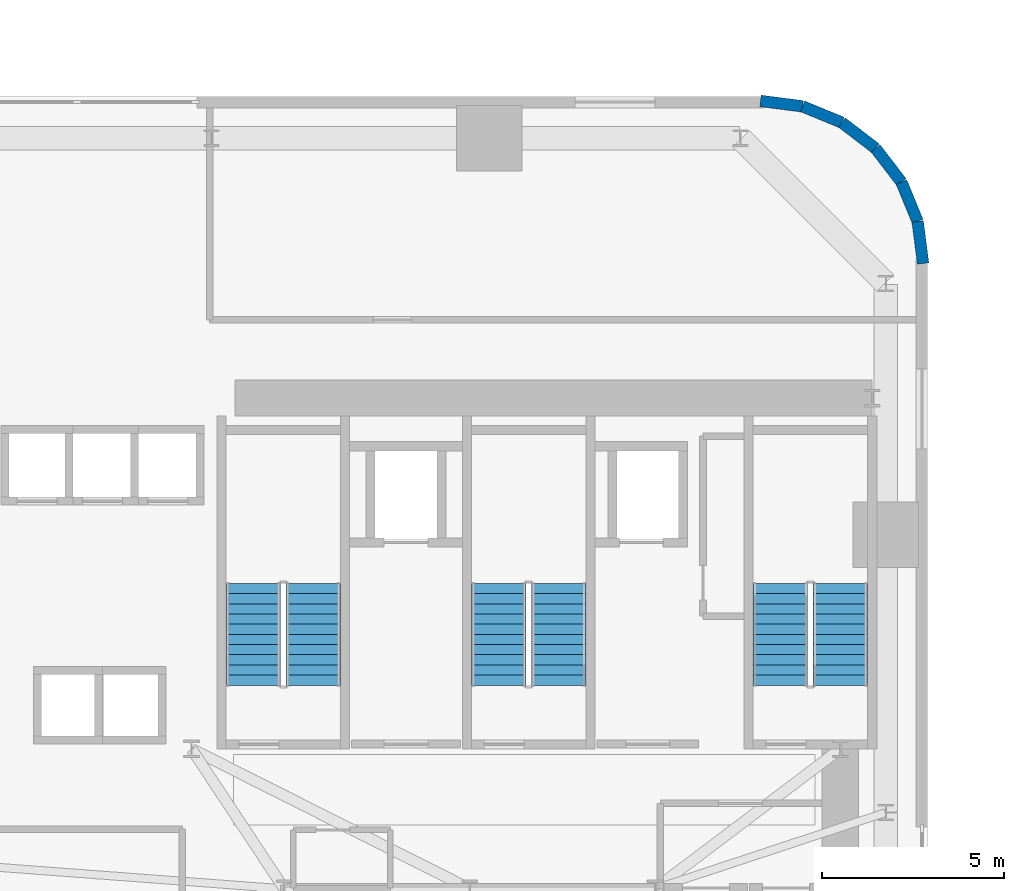
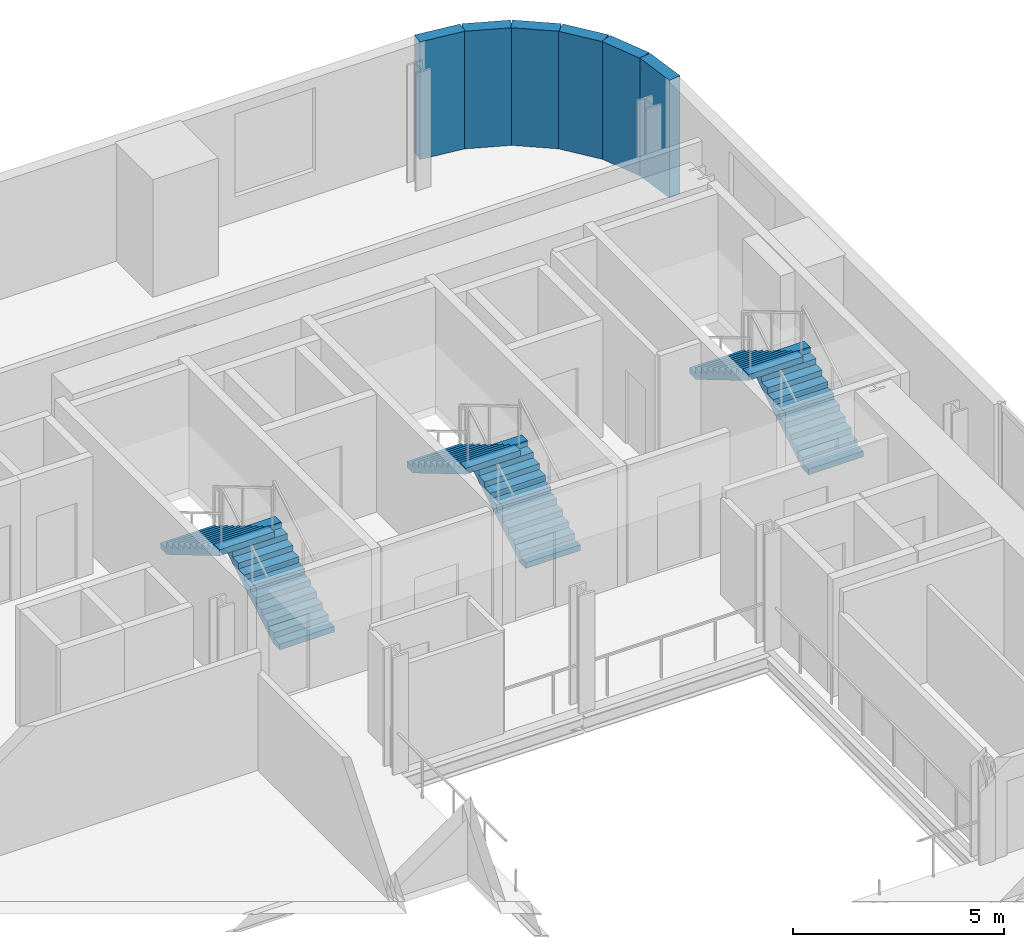
# One storey, part 9 of 13: 6 stair flights, 6 walls, 3 elements without a shape of their own.
"""IFC4 building model written with IfcOpenShell, lengths in metres."""

import ifcopenshell
import ifcopenshell.guid

model = None  # the IFC model being written
_history = None  # IfcOwnerHistory: only IFC2X3 demands one
_inside = {}  # id of a spatial element -> (the spatial element, [elements in it])
_under = {}  # id of a project, library or spatial element -> (it, [spatial elements below it])
_declared = {}  # id of a project -> (the project, [libraries it declares])
_typed = {}  # id of a type object -> (the type object, [elements of that type])
_made_of = {}  # id of a material, layer set ... -> (it, [elements and type objects made of it])


def new_model(schema):
    """Start an empty IFC model of exactly this schema.

    Asked for "IFC4X3", IfcOpenShell would pick the latest addendum, in which some entities
    have other attributes; the version numbers below select the first issue.
    IFC2X3 requires an IfcOwnerHistory on every rooted entity: one is made here for all.
    """
    global model, _history
    if schema == "IFC4X3":
        model = ifcopenshell.file(schema_version=(4, 3, 0, 0))
    else:
        model = ifcopenshell.file(schema=schema)
    _inside.clear()
    _under.clear()
    _declared.clear()
    _typed.clear()
    _made_of.clear()
    _history = None
    if model.schema == "IFC2X3":
        org = make("IfcOrganization", Name="unknown")
        user = make(
            "IfcPersonAndOrganization",
            ThePerson=make("IfcPerson", FamilyName="unknown"),
            TheOrganization=org,
        )
        app = make(
            "IfcApplication",
            ApplicationDeveloper=org,
            Version="unknown",
            ApplicationFullName="unknown",
            ApplicationIdentifier="unknown",
        )
        _history = make(
            "IfcOwnerHistory",
            OwningUser=user,
            OwningApplication=app,
            ChangeAction="ADDED",
            CreationDate=0,
        )
    return model


def make(cls, **values):
    """One entity of the class cls with the attributes given. An attribute that is None is left unset."""
    return model.create_entity(
        cls, **{name: value for name, value in values.items() if value is not None}
    )


def rooted(cls, **values):
    """An entity with a GlobalId (a new one), such as an element, a storey or a relation."""
    return make(cls, GlobalId=ifcopenshell.guid.new(), OwnerHistory=_history, **values)


def si_unit(unit_type, name, prefix=None):
    """IfcSIUnit, for example si_unit("LENGTHUNIT", "METRE", prefix="MILLI")."""
    return make("IfcSIUnit", UnitType=unit_type, Prefix=prefix, Name=name)


def assignment(units):
    """IfcUnitAssignment: the units of a project."""
    return None if units is None else make("IfcUnitAssignment", Units=units)


def point(xyz):
    """IfcCartesianPoint."""
    return None if xyz is None else make("IfcCartesianPoint", Coordinates=xyz)


def direction(xyz):
    """IfcDirection."""
    return None if xyz is None else make("IfcDirection", DirectionRatios=xyz)


def frame(location, z_axis=None, x_axis=None):
    """IfcAxis2Placement3D, a coordinate frame: its origin and axes. An axis left out is left unset."""
    return make(
        "IfcAxis2Placement3D",
        Location=point(location),
        Axis=direction(z_axis),
        RefDirection=direction(x_axis),
    )


def frame_2d(location, x_axis=None):
    """IfcAxis2Placement2D, a coordinate frame in the plane: its origin and x axis."""
    return make(
        "IfcAxis2Placement2D", Location=point(location), RefDirection=direction(x_axis)
    )


def origin():
    """The frame at (0, 0, 0) with its axes left unset."""
    return frame((0.0, 0.0, 0.0))


def place(relative_to, where):
    """IfcLocalPlacement: puts the frame where relative to a parent placement (None: the world)."""
    return make(
        "IfcLocalPlacement", PlacementRelTo=relative_to, RelativePlacement=where
    )


def context(
    kind, dimensions, precision=None, world=None, true_north=None, identifier=None
):
    """IfcGeometricRepresentationContext, for example the 3D "Model" context."""
    return make(
        "IfcGeometricRepresentationContext",
        ContextIdentifier=identifier,
        ContextType=kind,
        CoordinateSpaceDimension=dimensions,
        Precision=precision,
        WorldCoordinateSystem=world,
        TrueNorth=true_north,
    )


def subcontext(parent, identifier, kind, view, scale=None):
    """IfcGeometricRepresentationSubContext, for example "Body" below "Model"."""
    return make(
        "IfcGeometricRepresentationSubContext",
        ContextIdentifier=identifier,
        ContextType=kind,
        ParentContext=parent,
        TargetScale=scale,
        TargetView=view,
    )


def project(units=None, contexts=None):
    """IfcProject with its units and contexts."""
    return rooted(
        "IfcProject",
        Name="project",
        RepresentationContexts=contexts,
        UnitsInContext=assignment(units),
    )


def spatial(cls, under=None, at=None, **own):
    """A site, building, storey or space (cls), placed at a placement, below another one or the project."""
    s = rooted(cls, ObjectPlacement=at, **own)
    if under is not None:
        _under.setdefault(under.id(), (under, []))[1].append(s)
    return s


def polyline(points):
    """IfcPolyline through the points."""
    return make("IfcPolyline", Points=[point(p) for p in points])


def profile(cls, at=None, kind="AREA", **sizes):
    """A parametric profile (cls). Its sizes go by their IFC names, for example OverallWidth=200.0."""
    return make(cls, ProfileType=kind, Position=at, **sizes)


def rectangle(**sizes):
    """IfcRectangleProfileDef."""
    return profile("IfcRectangleProfileDef", **sizes)


def outline(outer, holes=None, kind="AREA"):
    """IfcArbitraryClosedProfileDef: a profile drawn as a closed curve; with holes, ...WithVoids."""
    if holes is None:
        return make("IfcArbitraryClosedProfileDef", ProfileType=kind, OuterCurve=outer)
    return make(
        "IfcArbitraryProfileDefWithVoids",
        ProfileType=kind,
        OuterCurve=outer,
        InnerCurves=holes,
    )


def extrude(swept, where, along, depth):
    """IfcExtrudedAreaSolid: the profile swept, set in the frame where, extruded along a direction by depth."""
    return make(
        "IfcExtrudedAreaSolid",
        SweptArea=swept,
        Position=where,
        ExtrudedDirection=direction(along),
        Depth=depth,
    )


def shape(context_of_items, identifier, shape_type, items):
    """IfcShapeRepresentation: the items that make up one representation, for example the "Body"."""
    return make(
        "IfcShapeRepresentation",
        ContextOfItems=context_of_items,
        RepresentationIdentifier=identifier,
        RepresentationType=shape_type,
        Items=items,
    )


def source(mapping_origin, context_of_items, identifier, shape_type, items):
    """IfcRepresentationMap: a shape defined once, which mapped items show again and again."""
    return make(
        "IfcRepresentationMap",
        MappingOrigin=mapping_origin,
        MappedRepresentation=shape(context_of_items, identifier, shape_type, items),
    )


def transform(
    local_origin,
    x_axis=None,
    y_axis=None,
    z_axis=None,
    scale=None,
    scale2=None,
    scale3=None,
    uniform=True,
):
    """IfcCartesianTransformationOperator3D, or its non-uniform kind. x_axis, y_axis, z_axis: its Axis1, 2, 3."""
    if uniform:
        return make(
            "IfcCartesianTransformationOperator3D",
            Axis1=direction(x_axis),
            Axis2=direction(y_axis),
            LocalOrigin=point(local_origin),
            Scale=scale,
            Axis3=direction(z_axis),
        )
    return make(
        "IfcCartesianTransformationOperator3DnonUniform",
        Axis1=direction(x_axis),
        Axis2=direction(y_axis),
        LocalOrigin=point(local_origin),
        Scale=scale,
        Axis3=direction(z_axis),
        Scale2=scale2,
        Scale3=scale3,
    )


def mapped(mapping_source, mapping_target):
    """IfcMappedItem: shows the shape of a source again, moved by a transform."""
    return make(
        "IfcMappedItem", MappingSource=mapping_source, MappingTarget=mapping_target
    )


def material(Name=None, Category=None):
    """IfcMaterial."""
    return make("IfcMaterial", Name=Name, Category=Category)


def layer(
    of_material, thickness, ventilated=None, Name=None, Category=None, Priority=None
):
    """IfcMaterialLayer: one layer of a wall or slab, of a material (None: an air gap)."""
    return make(
        "IfcMaterialLayer",
        Material=of_material,
        LayerThickness=thickness,
        IsVentilated=ventilated,
        Name=Name,
        Category=Category,
        Priority=Priority,
    )


def layer_set(layers, Name=None):
    """IfcMaterialLayerSet."""
    return make("IfcMaterialLayerSet", MaterialLayers=layers, LayerSetName=Name)


def made_of(thing, what):
    """Note that an element or type object is made of a material, layer set ...; save() writes the relation."""
    if what is not None:
        _made_of.setdefault(what.id(), (what, []))[1].append(thing)
    return thing


def type_object(cls, material=None, **own):
    """A type object (cls), such as IfcWallType, which elements share."""
    return made_of(rooted(cls, **own), material)


def element(
    cls,
    number,
    at=None,
    inside=None,
    cuts=None,
    type_object=None,
    material=None,
    context=None,
    identifier="Body",
    shape_type=None,
    held_by="IfcProductDefinitionShape",
    body=None,
    shapes=None,
    **own,
):
    """One element of the class cls, such as IfcWall. Its Tag is "e" and its number.

    at: its placement. inside: the storey or other place that contains it. cuts: it is an
    opening in that element (IfcRelVoidsElement). A single representation is given by context,
    identifier, shape_type and body (its items); several are given by shapes. held_by: the class
    of the entity that holds the representations. save() writes the other relations.
    """
    e = rooted(cls, Tag="e%d" % number, ObjectPlacement=at, **own)
    if body is not None:
        shapes = [shape(context, identifier, shape_type, body)]
    if shapes is not None:
        e.Representation = make(held_by, Representations=shapes)
    if inside is not None:
        _inside.setdefault(inside.id(), (inside, []))[1].append(e)
    if cuts is not None:
        rooted(
            "IfcRelVoidsElement", RelatingBuildingElement=cuts, RelatedOpeningElement=e
        )
    if type_object is not None:
        _typed.setdefault(type_object.id(), (type_object, []))[1].append(e)
    return made_of(e, material)


def aggregate(whole, parts):
    """IfcRelAggregates: a whole, such as a stair, and the parts it consists of."""
    return rooted("IfcRelAggregates", RelatingObject=whole, RelatedObjects=parts)


def save(model, path):
    """Write the relations noted so far, then the file.

    IfcRelAggregates (storeys below a building ...), IfcRelContainedInSpatialStructure (elements
    in a storey), IfcRelDefinesByType, IfcRelAssociatesMaterial and IfcRelDeclares: one each for
    every whole, place, type object, material and project.
    """
    for whole, parts in _under.values():
        aggregate(whole, parts)
    for where, things in _inside.values():
        rooted(
            "IfcRelContainedInSpatialStructure",
            RelatedElements=things,
            RelatingStructure=where,
        )
    for kind, things in _typed.values():
        rooted("IfcRelDefinesByType", RelatedObjects=things, RelatingType=kind)
    for what, things in _made_of.values():
        rooted("IfcRelAssociatesMaterial", RelatedObjects=things, RelatingMaterial=what)
    for by, libraries in _declared.values():
        rooted("IfcRelDeclares", RelatingContext=by, RelatedDefinitions=libraries)
    model.write(path)


model = new_model("IFC4")

# Units and contexts
model_context = context("Model", 3, precision=1e-05, world=origin(), true_north=direction((0.0, 1.0)))
body_context = subcontext(model_context, "Body", "Model", "MODEL_VIEW")
ifc_project = project(units=[si_unit("LENGTHUNIT", "METRE"), si_unit("AREAUNIT", "SQUARE_METRE"), si_unit("VOLUMEUNIT", "CUBIC_METRE"), si_unit("PLANEANGLEUNIT", "RADIAN"), si_unit("MASSUNIT", "GRAM", prefix="KILO")], contexts=[model_context])

# Site, building, storey
site_placement = place(None, origin())
site = spatial("IfcSite", under=ifc_project, at=site_placement, CompositionType="ELEMENT")
building_placement = place(site_placement, origin())
building = spatial("IfcBuilding", under=site, at=building_placement, Name="Vardaveli Station Tower", CompositionType="ELEMENT")
storey_placement = place(building_placement, frame((0.0, 0.0, 75.050048828125)))
storey = spatial("IfcBuildingStorey", under=building, at=storey_placement, Name="L19", CompositionType="ELEMENT", Elevation=75.050048828125)

# Walls
ifc_material_1 = material(Name="Precast concrete C45/55", Category="concrete")
ifc_layer = layer(ifc_material_1, 0.320068359375, Name="Precast concrete C45/55")
ifc_layer_set = layer_set([ifc_layer], Name="Precast concrete C45/55")
wall_type = type_object("IfcWallType", Name="WAL-EXT-STONE-320", PredefinedType="SOLIDWALL", material=ifc_layer_set)
shared_shape_1 = source(origin(), body_context, "Body", "SweptSolid", [
    extrude(rectangle(XDim=1.1689453125, YDim=0.320068359375, at=frame_2d((0.58447265625, 0.0))), origin(), (0.0, 0.0, 1.0), 3.409912109375),
])
wall_1_placement = place(storey_placement, frame((48.179931640625, 46.2412109375, 0.0), z_axis=(0.0, 0.0, 1.0), x_axis=(-0.608387696831, 0.793639975269, 0.0)))
element("IfcWall", 1, at=wall_1_placement, inside=storey, type_object=wall_type, Name="EW-L19-CR3-3", PredefinedType="SOLIDWALL", context=body_context, shape_type="MappedRepresentation", body=[
    mapped(shared_shape_1, transform((0.0, 0.0, 0.0), scale=1.0)),
])
shared_shape_2 = source(origin(), body_context, "Body", "SweptSolid", [
    extrude(rectangle(XDim=1.168701171875, YDim=0.320068359375, at=frame_2d((0.58447265625, 0.0))), origin(), (0.0, 0.0, 1.0), 3.409912109375),
])
wall_2_placement = place(storey_placement, frame((47.46875, 47.1689453125, 0.0), z_axis=(0.0, 0.0, 1.0), x_axis=(-0.793663520347, 0.608356981114, 0.0)))
element("IfcWall", 2, at=wall_2_placement, inside=storey, type_object=wall_type, Name="EW-L19-CR3-4", PredefinedType="SOLIDWALL", context=body_context, shape_type="MappedRepresentation", body=[
    mapped(shared_shape_2, transform((0.0, 0.0, 0.0), scale=1.0)),
])
shared_shape_3 = source(origin(), body_context, "Body", "SweptSolid", [
    extrude(rectangle(XDim=1.17041015625, YDim=0.320068359375, at=frame_2d((0.585205078125, 0.0))), origin(), (0.0, 0.0, 1.0), 3.409912109375),
])
for number, where, z_axis, x_axis, name in (
    (3, (48.775634765625, 43.99951171875, 0.0), (0.0, 0.0, 1.0), (-0.128295670475, 0.991735963317, 0.0), "EW-L19-CR3-1"),
    (4, (45.460205078125, 48.325439453125, 0.0), (0.0, 0.0, 1.0), (-0.991735963317, 0.128295670475, 0.0), "EW-L19-CR3-6"),
):
    element("IfcWall", number, at=place(storey_placement, frame(where, z_axis=z_axis, x_axis=x_axis)), inside=storey, type_object=wall_type, Name=name, PredefinedType="SOLIDWALL", context=body_context, shape_type="MappedRepresentation", body=[
        mapped(shared_shape_3, transform((0.0, 0.0, 0.0), scale=1.0)),
    ])
shared_shape_4 = source(origin(), body_context, "Body", "SweptSolid", [
    extrude(rectangle(XDim=1.169189453125, YDim=0.320068359375, at=frame_2d((0.58447265625, 0.0))), origin(), (0.0, 0.0, 1.0), 3.409912109375),
])
for number, where, z_axis, x_axis, name in (
    (5, (48.62548828125, 45.16015625, 0.0), (0.0, 0.0, 1.0), (-0.381054331552, 0.924552646638, 0.0), "EW-L19-CR3-2"),
    (6, (46.541259765625, 47.8798828125, 0.0), (0.0, 0.0, 1.0), (-0.924552646638, 0.381054331552, 0.0), "EW-L19-CR3-5"),
):
    element("IfcWall", number, at=place(storey_placement, frame(where, z_axis=z_axis, x_axis=x_axis)), inside=storey, type_object=wall_type, Name=name, PredefinedType="SOLIDWALL", context=body_context, shape_type="MappedRepresentation", body=[
        mapped(shared_shape_4, transform((0.0, 0.0, 0.0), scale=1.0)),
    ])

# Stair, stair flights
ifc_material_2 = material(Name="Concrete C40/50", Category="concrete")
stair_type = type_object("IfcStairType", Name="STR-CORE-1500", PredefinedType="HALF_TURN_STAIR", material=ifc_material_2)
stair_1_placement = place(storey_placement, origin())
stair_1 = element("IfcStair", 7, at=stair_1_placement, inside=storey, type_object=stair_type, Name="L19 ST-1", PredefinedType="HALF_TURN_STAIR")
stair_flight_type = type_object("IfcStairFlightType", Name="SFL-CORE-1500", PredefinedType="STRAIGHT", material=ifc_material_2)
shared_shape_5 = source(origin(), body_context, "Body", "SweptSolid", [
    extrude(outline(polyline([(0.0, 0.0), (0.0, 0.166015625), (0.280029296875, 0.166015625), (0.280029296875, 0.331787109375), (0.56005859375, 0.331787109375), (0.56005859375, 0.497802734375), (0.840087890625, 0.497802734375), (0.840087890625, 0.66357421875), (1.1201171875, 0.66357421875), (1.1201171875, 0.82958984375), (1.39990234375, 0.82958984375), (1.39990234375, 0.995361328125), (1.679931640625, 0.995361328125), (1.679931640625, 1.161376953125), (1.9599609375, 1.161376953125), (1.9599609375, 1.327392578125), (2.239990234375, 1.327392578125), (2.239990234375, 1.4931640625), (2.52001953125, 1.4931640625), (2.52001953125, 1.6591796875), (2.800048828125, 1.6591796875), (2.800048828125, 1.824951171875), (2.800048828125, 1.48486328125), (0.2939453125, 0.0), (0.0, 0.0)])), frame((0.0, 0.75, 0.0), z_axis=(0.0, -1.0, 0.0), x_axis=(1.0, 0.0, 0.0)), (0.0, 0.0, 1.0), 1.5),
])
stair_flight_1_placement = place(storey_placement, frame((32.0, 32.39990234375, 0.0), z_axis=(0.0, 0.0, 1.0), x_axis=(0.0, 1.0, 0.0)))
stair_flight_1 = element("IfcStairFlight", 8, at=stair_flight_1_placement, type_object=stair_flight_type, Name="ST-1 flight 1", NumberOfRisers=11, NumberOfTreads=10, PredefinedType="STRAIGHT", RiserHeight=0.165909091, TreadLength=0.28, context=body_context, shape_type="MappedRepresentation", body=[
    mapped(shared_shape_5, transform((0.0, 0.0, 0.0), scale=1.0)),
])
stair_flight_2_placement = place(storey_placement, frame((30.35009765625, 35.199951171875, 1.824951171875), z_axis=(0.0, 0.0, 1.0), x_axis=(0.0, -1.0, 0.0)))
stair_flight_2 = element("IfcStairFlight", 9, at=stair_flight_2_placement, type_object=stair_flight_type, Name="ST-1 flight 2", NumberOfRisers=11, NumberOfTreads=10, PredefinedType="STRAIGHT", RiserHeight=0.165909091, TreadLength=0.28, context=body_context, shape_type="MappedRepresentation", body=[
    mapped(shared_shape_5, transform((0.0, 0.0, 0.0), scale=1.0)),
])
aggregate(stair_1, [stair_flight_1, stair_flight_2])

stair_2_placement = place(storey_placement, origin())
stair_2 = element("IfcStair", 10, at=stair_2_placement, inside=storey, type_object=stair_type, Name="L19 ST-2", PredefinedType="HALF_TURN_STAIR")
stair_flight_3_placement = place(storey_placement, frame((38.75, 32.39990234375, 0.0), z_axis=(0.0, 0.0, 1.0), x_axis=(0.0, 1.0, 0.0)))
stair_flight_3 = element("IfcStairFlight", 11, at=stair_flight_3_placement, type_object=stair_flight_type, Name="ST-2 flight 1", NumberOfRisers=11, NumberOfTreads=10, PredefinedType="STRAIGHT", RiserHeight=0.165909091, TreadLength=0.28, context=body_context, shape_type="MappedRepresentation", body=[
    mapped(shared_shape_5, transform((0.0, 0.0, 0.0), scale=1.0)),
])
stair_flight_4_placement = place(storey_placement, frame((37.10009765625, 35.199951171875, 1.824951171875), z_axis=(0.0, 0.0, 1.0), x_axis=(0.0, -1.0, 0.0)))
stair_flight_4 = element("IfcStairFlight", 12, at=stair_flight_4_placement, type_object=stair_flight_type, Name="ST-2 flight 2", NumberOfRisers=11, NumberOfTreads=10, PredefinedType="STRAIGHT", RiserHeight=0.165909091, TreadLength=0.28, context=body_context, shape_type="MappedRepresentation", body=[
    mapped(shared_shape_5, transform((0.0, 0.0, 0.0), scale=1.0)),
])
aggregate(stair_2, [stair_flight_3, stair_flight_4])

stair_3_placement = place(storey_placement, origin())
stair_3 = element("IfcStair", 13, at=stair_3_placement, inside=storey, type_object=stair_type, Name="L19 ST-3", PredefinedType="HALF_TURN_STAIR")
stair_flight_5_placement = place(storey_placement, frame((46.5, 32.39990234375, 0.0), z_axis=(0.0, 0.0, 1.0), x_axis=(0.0, 1.0, 0.0)))
stair_flight_5 = element("IfcStairFlight", 14, at=stair_flight_5_placement, type_object=stair_flight_type, Name="ST-3 flight 1", NumberOfRisers=11, NumberOfTreads=10, PredefinedType="STRAIGHT", RiserHeight=0.165909091, TreadLength=0.28, context=body_context, shape_type="MappedRepresentation", body=[
    mapped(shared_shape_5, transform((0.0, 0.0, 0.0), scale=1.0)),
])
stair_flight_6_placement = place(storey_placement, frame((44.85009765625, 35.199951171875, 1.824951171875), z_axis=(0.0, 0.0, 1.0), x_axis=(0.0, -1.0, 0.0)))
stair_flight_6 = element("IfcStairFlight", 15, at=stair_flight_6_placement, type_object=stair_flight_type, Name="ST-3 flight 2", NumberOfRisers=11, NumberOfTreads=10, PredefinedType="STRAIGHT", RiserHeight=0.165909091, TreadLength=0.28, context=body_context, shape_type="MappedRepresentation", body=[
    mapped(shared_shape_5, transform((0.0, 0.0, 0.0), scale=1.0)),
])
aggregate(stair_3, [stair_flight_5, stair_flight_6])

save(model, "model.ifc")
